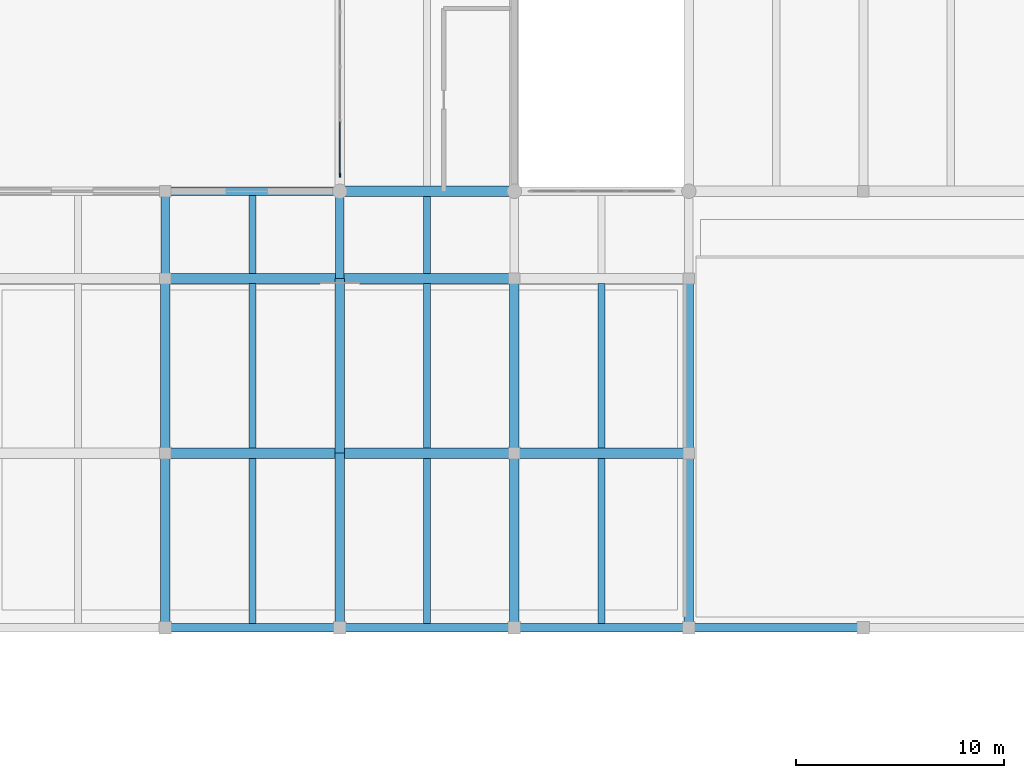
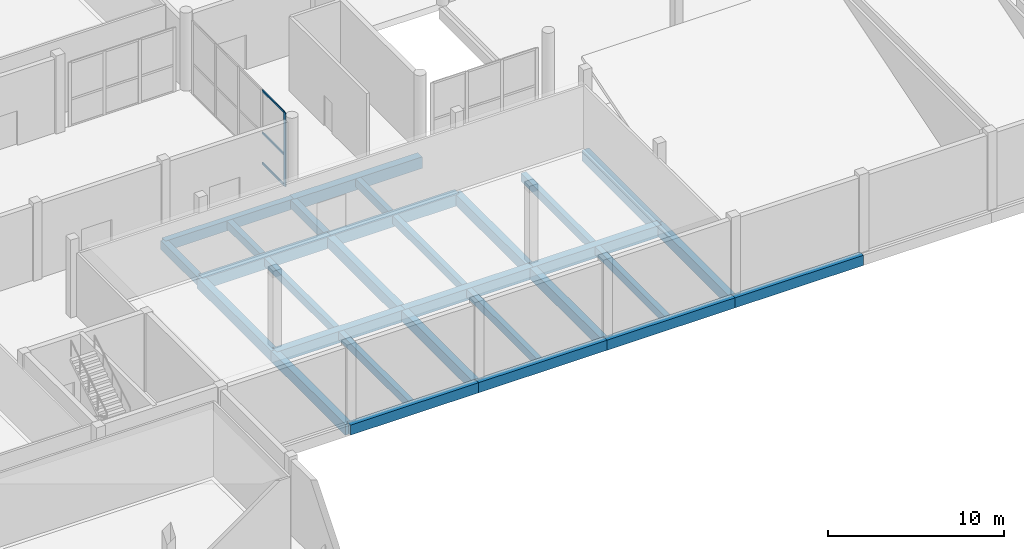
# One storey, part 14 of 41: 29 beams, 4 members, 1 element without a shape of its own.
"""IFC4 building model written with IfcOpenShell, lengths in metres."""

from ifc_helpers import new_model, si_unit, direction, frame, origin, origin_2d, place, context, subcontext, project, spatial, rectangle, extrude, material, material_profile, profile_set, type_object, element, aggregate, save


model = new_model("IFC4")

# Units and contexts
model_context = context("Model", 3, precision=1e-05, world=origin(), true_north=direction((0.0, 1.0)))
body_context = subcontext(model_context, "Body", "Model", "MODEL_VIEW")
ifc_project = project(units=[si_unit("LENGTHUNIT", "METRE"), si_unit("AREAUNIT", "SQUARE_METRE"), si_unit("VOLUMEUNIT", "CUBIC_METRE"), si_unit("PLANEANGLEUNIT", "RADIAN"), si_unit("MASSUNIT", "GRAM", prefix="KILO")], contexts=[model_context])

# Site, building, storey
site_placement = place(None, origin())
site = spatial("IfcSite", under=ifc_project, at=site_placement, CompositionType="ELEMENT")
building_placement = place(site_placement, origin())
building = spatial("IfcBuilding", under=site, at=building_placement, Name="Vharandega Faculty of Natural Sciences", CompositionType="ELEMENT")
storey_placement = place(building_placement, origin())
storey = spatial("IfcBuildingStorey", under=building, at=storey_placement, Name="L00", CompositionType="ELEMENT", Elevation=0.0)

# Curtain wall, members
ifc_material_1 = material(Name="Aluminium and solar-control glass curtain wall", Category="aluminium")
curtain_wall_type = type_object("IfcCurtainWallType", Name="Unitised Curtain Wall System CW-19", PredefinedType="NOTDEFINED", material=ifc_material_1)
curtain_wall_placement = place(storey_placement, origin())
curtain_wall = element("IfcCurtainWall", 1, at=curtain_wall_placement, inside=storey, type_object=curtain_wall_type, Name="Curtain Wall CW-L00-074", PredefinedType="NOTDEFINED")
ifc_material_2 = material(Name="Thermally broken aluminium 6063-T6", Category="aluminium")
ifc_material_profile_1 = material_profile(ifc_material_2, rectangle(XDim=0.070068359375, YDim=0.199951171875, at=origin_2d()), Name="ALU 70x200")
ifc_profile_set_1 = profile_set([ifc_material_profile_1], Name="Thermally broken aluminium 6063-T6")
member_type_1 = type_object("IfcMemberType", Name="CW Mullion 70x200", PredefinedType="MULLION", material=ifc_profile_set_1)
member_1_placement = place(storey_placement, frame((72.800048828125, 85.77490234375, 0.0), z_axis=(0.0, 0.0, 1.0), x_axis=(-1.0, 0.0, 0.0)))
member_1 = element("IfcMember", 2, at=member_1_placement, type_object=member_type_1, Name="CW-19 mullion 1", PredefinedType="MULLION", context=body_context, shape_type="SweptSolid", body=[
    extrude(rectangle(XDim=0.070068359375, YDim=0.199951171875, at=origin_2d()), origin(), (0.0, 0.0, 1.0), 5.10009765625),
])
ifc_material_3 = material(Name="Thermally broken aluminium 6063-T6", Category="aluminium")
ifc_material_profile_2 = material_profile(ifc_material_3, rectangle(XDim=0.06494140625, YDim=0.135009765625, at=origin_2d()), Name="ALU 65x135")
ifc_profile_set_2 = profile_set([ifc_material_profile_2], Name="Thermally broken aluminium 6063-T6")
member_type_2 = type_object("IfcMemberType", Name="CW Transom 65x135", PredefinedType="USERDEFINED", material=ifc_profile_set_2)
member_2_placement = place(storey_placement, frame((72.800048828125, 85.81005859375, 0.032470703125), z_axis=(0.0, 1.0, 0.0), x_axis=(-1.0, 0.0, 0.0)))
member_2 = element("IfcMember", 3, at=member_2_placement, type_object=member_type_2, Name="CW-19 transom 1.1", ObjectType="TRANSOM", PredefinedType="USERDEFINED", context=body_context, shape_type="SweptSolid", body=[
    extrude(rectangle(XDim=0.06494140625, YDim=0.135009765625, at=origin_2d()), origin(), (0.0, 0.0, 1.0), 2.52490234375),
])
member_3_placement = place(storey_placement, frame((72.800048828125, 85.81005859375, 2.14208984375), z_axis=(0.0, 1.0, 0.0), x_axis=(-1.0, 0.0, 0.0)))
member_3 = element("IfcMember", 4, at=member_3_placement, type_object=member_type_2, Name="CW-19 transom 1.2", ObjectType="TRANSOM", PredefinedType="USERDEFINED", context=body_context, shape_type="SweptSolid", body=[
    extrude(rectangle(XDim=0.06494140625, YDim=0.135009765625, at=origin_2d()), origin(), (0.0, 0.0, 1.0), 2.52490234375),
])
member_4_placement = place(storey_placement, frame((72.800048828125, 85.81005859375, 5.0673828125), z_axis=(0.0, 1.0, 0.0), x_axis=(-1.0, 0.0, 0.0)))
member_4 = element("IfcMember", 5, at=member_4_placement, type_object=member_type_2, Name="CW-19 transom 1.3", ObjectType="TRANSOM", PredefinedType="USERDEFINED", context=body_context, shape_type="SweptSolid", body=[
    extrude(rectangle(XDim=0.06494140625, YDim=0.135009765625, at=origin_2d()), origin(), (0.0, 0.0, 1.0), 2.52490234375),
])
aggregate(curtain_wall, [member_1, member_2, member_3, member_4])

# Beams
ifc_material_4 = material(Name="Concrete C40/50", Category="concrete")
ifc_material_profile_3 = material_profile(ifc_material_4, rectangle(XDim=0.5, YDim=0.800048828125, at=origin_2d()), Name="RC 500x800")
ifc_profile_set_3 = profile_set([ifc_material_profile_3], Name="Concrete C40/50")
beam_type_1 = type_object("IfcBeamType", Name="Podium Heavy Girder 500x800", PredefinedType="BEAM", material=ifc_profile_set_3)
beam_1_placement = place(storey_placement, frame((64.39990234375, 72.39990234375, -0.699951171875), z_axis=(1.0, 0.0, 0.0), x_axis=(0.0, 1.0, 0.0)))
element("IfcBeam", 6, at=beam_1_placement, inside=storey, type_object=beam_type_1, Name="Beam L00 K/9-10", PredefinedType="BEAM", context=body_context, shape_type="SweptSolid", body=[
    extrude(rectangle(XDim=0.5, YDim=0.800048828125, at=origin_2d()), origin(), (0.0, 0.0, 1.0), 8.400146484375),
])
beam_2_placement = place(storey_placement, frame((72.800048828125, 72.39990234375, -0.699951171875), z_axis=(1.0, 0.0, 0.0), x_axis=(0.0, 1.0, 0.0)))
element("IfcBeam", 7, at=beam_2_placement, inside=storey, type_object=beam_type_1, Name="Beam L00 K/10-11", PredefinedType="BEAM", context=body_context, shape_type="SweptSolid", body=[
    extrude(rectangle(XDim=0.5, YDim=0.800048828125, at=origin_2d()), origin(), (0.0, 0.0, 1.0), 8.39990234375),
])
for number, where, z_axis, x_axis, name in (
    (8, (81.199951171875, 72.39990234375, -0.699951171875), (1.0, 0.0, 0.0), (0.0, 1.0, 0.0), "Beam L00 K/11-12"),
    (9, (64.39990234375, 80.800048828125, -0.699951171875), (1.0, 0.0, 0.0), (0.0, 1.0, 0.0), "Beam L00 L/9-10"),
):
    element("IfcBeam", number, at=place(storey_placement, frame(where, z_axis=z_axis, x_axis=x_axis)), inside=storey, type_object=beam_type_1, Name=name, PredefinedType="BEAM", context=body_context, shape_type="SweptSolid", body=[
        extrude(rectangle(XDim=0.5, YDim=0.800048828125, at=origin_2d()), origin(), (0.0, 0.0, 1.0), 8.400146484375),
    ])
for number, where, z_axis, x_axis, name in (
    (10, (72.800048828125, 80.800048828125, -0.699951171875), (1.0, 0.0, 0.0), (0.0, 1.0, 0.0), "Beam L00 L/10-11"),
    (11, (72.800048828125, 85.0, -0.699951171875), (1.0, 0.0, 0.0), (0.0, 1.0, 0.0), "Beam L00 M/10-11"),
):
    element("IfcBeam", number, at=place(storey_placement, frame(where, z_axis=z_axis, x_axis=x_axis)), inside=storey, type_object=beam_type_1, Name=name, PredefinedType="BEAM", context=body_context, shape_type="SweptSolid", body=[
        extrude(rectangle(XDim=0.5, YDim=0.800048828125, at=origin_2d()), origin(), (0.0, 0.0, 1.0), 8.39990234375),
    ])
ifc_material_5 = material(Name="Concrete C40/50", Category="concrete")
ifc_material_profile_4 = material_profile(ifc_material_5, rectangle(XDim=0.39990234375, YDim=0.60009765625, at=origin_2d()), Name="RC 400x600")
ifc_profile_set_4 = profile_set([ifc_material_profile_4], Name="Concrete C40/50")
beam_type_2 = type_object("IfcBeamType", Name="Podium Rib Beam 400x600", PredefinedType="BEAM", material=ifc_profile_set_4)
for number, where, z_axis, x_axis, name in (
    (12, (64.39990234375, 80.800048828125, -0.60009765625), (0.0, 1.0, 0.0), (-1.0, 0.0, 0.0), "Beam L00 9/L-M"),
    (13, (72.800048828125, 80.800048828125, -0.60009765625), (0.0, 1.0, 0.0), (-1.0, 0.0, 0.0), "Beam L00 10/L-M"),
):
    element("IfcBeam", number, at=place(storey_placement, frame(where, z_axis=z_axis, x_axis=x_axis)), inside=storey, type_object=beam_type_2, Name=name, PredefinedType="BEAM", context=body_context, shape_type="SweptSolid", body=[
        extrude(rectangle(XDim=0.39990234375, YDim=0.60009765625, at=origin_2d()), origin(), (0.0, 0.0, 1.0), 4.199951171875),
    ])
ifc_material_6 = material(Name="Concrete C40/50", Category="concrete")
ifc_material_profile_5 = material_profile(ifc_material_6, rectangle(XDim=0.35009765625, YDim=0.550048828125, at=origin_2d()), Name="RC 350x550")
ifc_profile_set_5 = profile_set([ifc_material_profile_5], Name="Concrete C40/50")
beam_type_3 = type_object("IfcBeamType", Name="Podium Secondary Beam 350x550", PredefinedType="JOIST", material=ifc_profile_set_5)
beam_3_placement = place(storey_placement, frame((68.60009765625, 64.199951171875, -0.574951171875), z_axis=(0.0, 1.0, 0.0), x_axis=(-1.0, 0.0, 0.0)))
element("IfcBeam", 14, at=beam_3_placement, inside=storey, type_object=beam_type_3, Name="Secondary Joist L00 9-10/J-K", PredefinedType="JOIST", context=body_context, shape_type="SweptSolid", body=[
    extrude(rectangle(XDim=0.35009765625, YDim=0.550048828125, at=origin_2d()), origin(), (0.0, 0.0, 1.0), 7.949951171875),
])
beam_4_placement = place(storey_placement, frame((68.60009765625, 72.64990234375, -0.574951171875), z_axis=(0.0, 1.0, 0.0), x_axis=(-1.0, 0.0, 0.0)))
element("IfcBeam", 15, at=beam_4_placement, inside=storey, type_object=beam_type_3, Name="Secondary Joist L00 9-10/K-L", PredefinedType="JOIST", context=body_context, shape_type="SweptSolid", body=[
    extrude(rectangle(XDim=0.35009765625, YDim=0.550048828125, at=origin_2d()), origin(), (0.0, 0.0, 1.0), 7.900146484375),
])
beam_5_placement = place(storey_placement, frame((68.60009765625, 81.050048828125, -0.574951171875), z_axis=(0.0, 1.0, 0.0), x_axis=(-1.0, 0.0, 0.0)))
element("IfcBeam", 16, at=beam_5_placement, inside=storey, type_object=beam_type_3, Name="Secondary Joist L00 9-10/L-M", PredefinedType="JOIST", context=body_context, shape_type="SweptSolid", body=[
    extrude(rectangle(XDim=0.35009765625, YDim=0.550048828125, at=origin_2d()), origin(), (0.0, 0.0, 1.0), 3.75),
])
beam_6_placement = place(storey_placement, frame((77.0, 64.199951171875, -0.574951171875), z_axis=(0.0, 1.0, 0.0), x_axis=(-1.0, 0.0, 0.0)))
element("IfcBeam", 17, at=beam_6_placement, inside=storey, type_object=beam_type_3, Name="Secondary Joist L00 10-11/J-K", PredefinedType="JOIST", context=body_context, shape_type="SweptSolid", body=[
    extrude(rectangle(XDim=0.35009765625, YDim=0.550048828125, at=origin_2d()), origin(), (0.0, 0.0, 1.0), 7.949951171875),
])
beam_7_placement = place(storey_placement, frame((77.0, 72.64990234375, -0.574951171875), z_axis=(0.0, 1.0, 0.0), x_axis=(-1.0, 0.0, 0.0)))
element("IfcBeam", 18, at=beam_7_placement, inside=storey, type_object=beam_type_3, Name="Secondary Joist L00 10-11/K-L", PredefinedType="JOIST", context=body_context, shape_type="SweptSolid", body=[
    extrude(rectangle(XDim=0.35009765625, YDim=0.550048828125, at=origin_2d()), origin(), (0.0, 0.0, 1.0), 7.900146484375),
])
beam_8_placement = place(storey_placement, frame((77.0, 81.050048828125, -0.574951171875), z_axis=(0.0, 1.0, 0.0), x_axis=(-1.0, 0.0, 0.0)))
element("IfcBeam", 19, at=beam_8_placement, inside=storey, type_object=beam_type_3, Name="Secondary Joist L00 10-11/L-M", PredefinedType="JOIST", context=body_context, shape_type="SweptSolid", body=[
    extrude(rectangle(XDim=0.35009765625, YDim=0.550048828125, at=origin_2d()), origin(), (0.0, 0.0, 1.0), 3.699951171875),
])
beam_9_placement = place(storey_placement, frame((85.39990234375, 64.199951171875, -0.574951171875), z_axis=(0.0, 1.0, 0.0), x_axis=(-1.0, 0.0, 0.0)))
element("IfcBeam", 20, at=beam_9_placement, inside=storey, type_object=beam_type_3, Name="Secondary Joist L00 11-12/J-K", PredefinedType="JOIST", context=body_context, shape_type="SweptSolid", body=[
    extrude(rectangle(XDim=0.35009765625, YDim=0.550048828125, at=origin_2d()), origin(), (0.0, 0.0, 1.0), 7.949951171875),
])
beam_10_placement = place(storey_placement, frame((85.39990234375, 72.64990234375, -0.574951171875), z_axis=(0.0, 1.0, 0.0), x_axis=(-1.0, 0.0, 0.0)))
element("IfcBeam", 21, at=beam_10_placement, inside=storey, type_object=beam_type_3, Name="Secondary Joist L00 11-12/K-L", PredefinedType="JOIST", context=body_context, shape_type="SweptSolid", body=[
    extrude(rectangle(XDim=0.35009765625, YDim=0.550048828125, at=origin_2d()), origin(), (0.0, 0.0, 1.0), 7.900146484375),
])
ifc_material_7 = material(Name="Concrete C40/50", Category="concrete")
ifc_material_profile_6 = material_profile(ifc_material_7, rectangle(XDim=0.39990234375, YDim=0.699951171875, at=origin_2d()), Name="RC 400x700")
ifc_profile_set_6 = profile_set([ifc_material_profile_6], Name="Concrete C40/50")
beam_type_4 = type_object("IfcBeamType", Name="Podium Spandrel Beam 400x700", PredefinedType="SPANDREL", material=ifc_profile_set_6)
beam_11_placement = place(storey_placement, frame((64.39990234375, 64.0, -0.64990234375), z_axis=(1.0, 0.0, 0.0), x_axis=(0.0, 1.0, 0.0)))
element("IfcBeam", 22, at=beam_11_placement, inside=storey, type_object=beam_type_4, Name="Beam L00 J/9-10", PredefinedType="SPANDREL", context=body_context, shape_type="SweptSolid", body=[
    extrude(rectangle(XDim=0.39990234375, YDim=0.699951171875, at=origin_2d()), origin(), (0.0, 0.0, 1.0), 8.400146484375),
])
beam_12_placement = place(storey_placement, frame((72.800048828125, 64.0, -0.64990234375), z_axis=(1.0, 0.0, 0.0), x_axis=(0.0, 1.0, 0.0)))
element("IfcBeam", 23, at=beam_12_placement, inside=storey, type_object=beam_type_4, Name="Beam L00 J/10-11", PredefinedType="SPANDREL", context=body_context, shape_type="SweptSolid", body=[
    extrude(rectangle(XDim=0.39990234375, YDim=0.699951171875, at=origin_2d()), origin(), (0.0, 0.0, 1.0), 8.39990234375),
])
beam_13_placement = place(storey_placement, frame((81.199951171875, 64.0, -0.64990234375), z_axis=(1.0, 0.0, 0.0), x_axis=(0.0, 1.0, 0.0)))
element("IfcBeam", 24, at=beam_13_placement, inside=storey, type_object=beam_type_4, Name="Beam L00 J/11-12", PredefinedType="SPANDREL", context=body_context, shape_type="SweptSolid", body=[
    extrude(rectangle(XDim=0.39990234375, YDim=0.699951171875, at=origin_2d()), origin(), (0.0, 0.0, 1.0), 8.400146484375),
])
beam_14_placement = place(storey_placement, frame((89.60009765625, 64.0, -0.64990234375), z_axis=(1.0, 0.0, 0.0), x_axis=(0.0, 1.0, 0.0)))
element("IfcBeam", 25, at=beam_14_placement, inside=storey, type_object=beam_type_4, Name="Beam L00 J/12-13", PredefinedType="SPANDREL", context=body_context, shape_type="SweptSolid", body=[
    extrude(rectangle(XDim=0.39990234375, YDim=0.699951171875, at=origin_2d()), origin(), (0.0, 0.0, 1.0), 8.39990234375),
])
beam_15_placement = place(storey_placement, frame((64.39990234375, 85.0, -0.64990234375), z_axis=(1.0, 0.0, 0.0), x_axis=(0.0, 1.0, 0.0)))
element("IfcBeam", 26, at=beam_15_placement, inside=storey, type_object=beam_type_4, Name="Beam L00 M/9-10", PredefinedType="SPANDREL", context=body_context, shape_type="SweptSolid", body=[
    extrude(rectangle(XDim=0.39990234375, YDim=0.699951171875, at=origin_2d()), origin(), (0.0, 0.0, 1.0), 8.400146484375),
])
ifc_material_8 = material(Name="Concrete C40/50", Category="concrete")
ifc_material_profile_7 = material_profile(ifc_material_8, rectangle(XDim=0.449951171875, YDim=0.75, at=origin_2d()), Name="RC 450x750")
ifc_profile_set_7 = profile_set([ifc_material_profile_7], Name="Concrete C40/50")
beam_type_5 = type_object("IfcBeamType", Name="Podium Spine Beam 450x750", PredefinedType="BEAM", material=ifc_profile_set_7)
beam_16_placement = place(storey_placement, frame((64.39990234375, 64.0, -0.675048828125), z_axis=(0.0, 1.0, 0.0), x_axis=(-1.0, 0.0, 0.0)))
element("IfcBeam", 27, at=beam_16_placement, inside=storey, type_object=beam_type_5, Name="Beam L00 9/J-K", PredefinedType="BEAM", context=body_context, shape_type="SweptSolid", body=[
    extrude(rectangle(XDim=0.449951171875, YDim=0.75, at=origin_2d()), origin(), (0.0, 0.0, 1.0), 8.39990234375),
])
beam_17_placement = place(storey_placement, frame((64.39990234375, 72.39990234375, -0.675048828125), z_axis=(0.0, 1.0, 0.0), x_axis=(-1.0, 0.0, 0.0)))
element("IfcBeam", 28, at=beam_17_placement, inside=storey, type_object=beam_type_5, Name="Beam L00 9/K-L", PredefinedType="BEAM", context=body_context, shape_type="SweptSolid", body=[
    extrude(rectangle(XDim=0.449951171875, YDim=0.75, at=origin_2d()), origin(), (0.0, 0.0, 1.0), 8.400146484375),
])
beam_18_placement = place(storey_placement, frame((72.800048828125, 64.0, -0.675048828125), z_axis=(0.0, 1.0, 0.0), x_axis=(-1.0, 0.0, 0.0)))
element("IfcBeam", 29, at=beam_18_placement, inside=storey, type_object=beam_type_5, Name="Beam L00 10/J-K", PredefinedType="BEAM", context=body_context, shape_type="SweptSolid", body=[
    extrude(rectangle(XDim=0.449951171875, YDim=0.75, at=origin_2d()), origin(), (0.0, 0.0, 1.0), 8.39990234375),
])
beam_19_placement = place(storey_placement, frame((72.800048828125, 72.39990234375, -0.675048828125), z_axis=(0.0, 1.0, 0.0), x_axis=(-1.0, 0.0, 0.0)))
element("IfcBeam", 30, at=beam_19_placement, inside=storey, type_object=beam_type_5, Name="Beam L00 10/K-L", PredefinedType="BEAM", context=body_context, shape_type="SweptSolid", body=[
    extrude(rectangle(XDim=0.449951171875, YDim=0.75, at=origin_2d()), origin(), (0.0, 0.0, 1.0), 8.400146484375),
])
beam_20_placement = place(storey_placement, frame((81.199951171875, 64.0, -0.675048828125), z_axis=(0.0, 1.0, 0.0), x_axis=(-1.0, 0.0, 0.0)))
element("IfcBeam", 31, at=beam_20_placement, inside=storey, type_object=beam_type_5, Name="Beam L00 11/J-K", PredefinedType="BEAM", context=body_context, shape_type="SweptSolid", body=[
    extrude(rectangle(XDim=0.449951171875, YDim=0.75, at=origin_2d()), origin(), (0.0, 0.0, 1.0), 8.39990234375),
])
beam_21_placement = place(storey_placement, frame((81.199951171875, 72.39990234375, -0.675048828125), z_axis=(0.0, 1.0, 0.0), x_axis=(-1.0, 0.0, 0.0)))
element("IfcBeam", 32, at=beam_21_placement, inside=storey, type_object=beam_type_5, Name="Beam L00 11/K-L", PredefinedType="BEAM", context=body_context, shape_type="SweptSolid", body=[
    extrude(rectangle(XDim=0.449951171875, YDim=0.75, at=origin_2d()), origin(), (0.0, 0.0, 1.0), 8.400146484375),
])
beam_22_placement = place(storey_placement, frame((89.60009765625, 64.0, -0.675048828125), z_axis=(0.0, 1.0, 0.0), x_axis=(-1.0, 0.0, 0.0)))
element("IfcBeam", 33, at=beam_22_placement, inside=storey, type_object=beam_type_5, Name="Beam L00 12/J-K", PredefinedType="BEAM", context=body_context, shape_type="SweptSolid", body=[
    extrude(rectangle(XDim=0.449951171875, YDim=0.75, at=origin_2d()), origin(), (0.0, 0.0, 1.0), 8.39990234375),
])
beam_23_placement = place(storey_placement, frame((89.60009765625, 72.39990234375, -0.675048828125), z_axis=(0.0, 1.0, 0.0), x_axis=(-1.0, 0.0, 0.0)))
element("IfcBeam", 34, at=beam_23_placement, inside=storey, type_object=beam_type_5, Name="Beam L00 12/K-L", PredefinedType="BEAM", context=body_context, shape_type="SweptSolid", body=[
    extrude(rectangle(XDim=0.449951171875, YDim=0.75, at=origin_2d()), origin(), (0.0, 0.0, 1.0), 8.400146484375),
])

save(model, "model.ifc")
